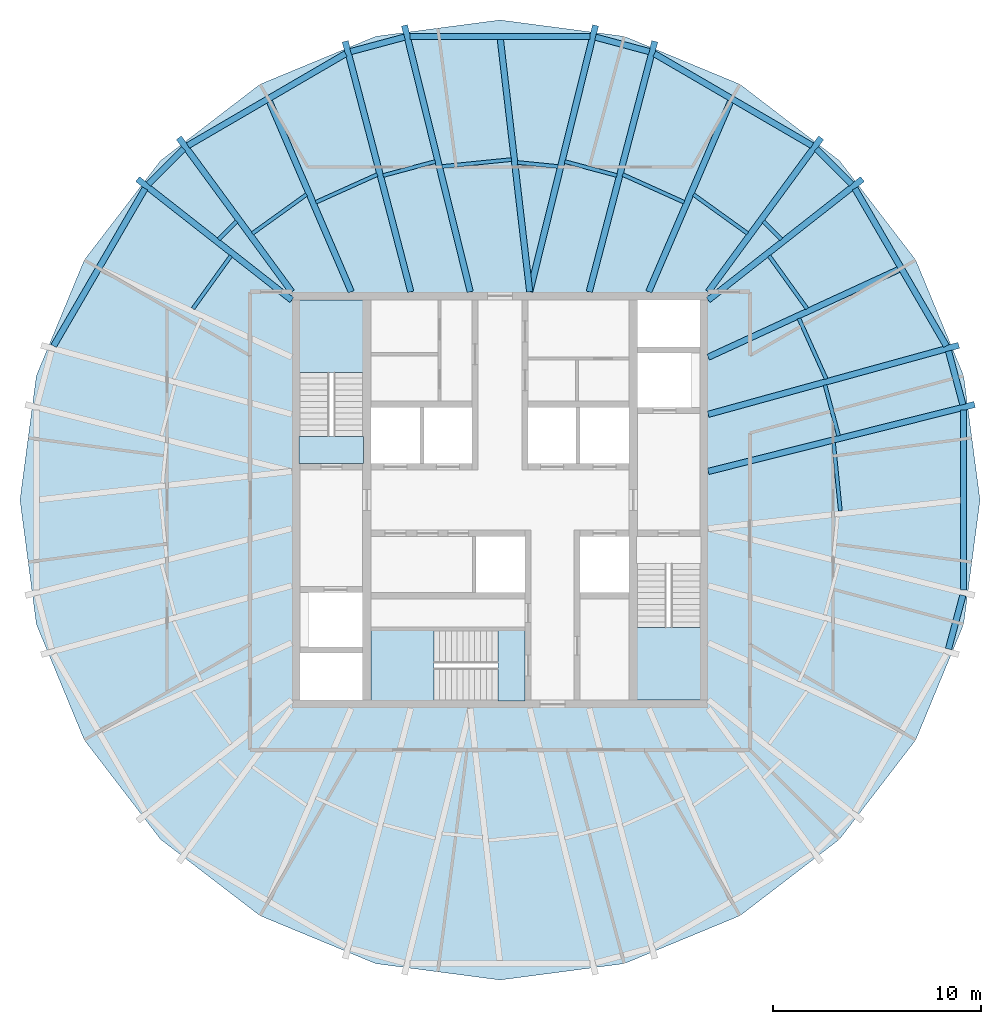
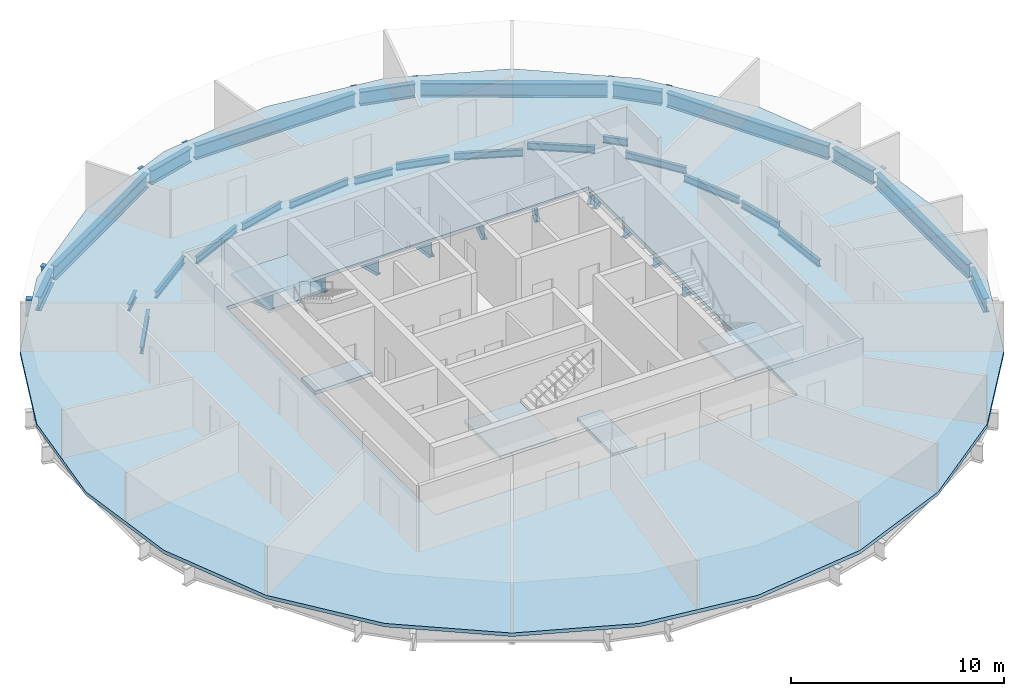
# One storey, part 2 of 6: 41 beams, 6 slabs, 3 elements without a shape of their own.
"""IFC4 building model written with IfcOpenShell, lengths in metres."""

from ifc_helpers import new_model, si_unit, direction, frame, origin, origin_2d, place, context, subcontext, project, spatial, polyline, i_section, outline, extrude, material, layer, layer_set, material_profile, profile_set, type_object, element, aggregate, save


model = new_model("IFC4")

# Units and contexts
model_context = context("Model", 3, precision=1e-05, world=origin(), true_north=direction((0.0, 1.0)))
body_context = subcontext(model_context, "Body", "Model", "MODEL_VIEW")
ifc_project = project(units=[si_unit("LENGTHUNIT", "METRE"), si_unit("AREAUNIT", "SQUARE_METRE"), si_unit("VOLUMEUNIT", "CUBIC_METRE"), si_unit("PLANEANGLEUNIT", "RADIAN"), si_unit("MASSUNIT", "GRAM", prefix="KILO")], contexts=[model_context])

# Site, building, storey
site_placement = place(None, origin())
site = spatial("IfcSite", under=ifc_project, at=site_placement, CompositionType="ELEMENT")
building_placement = place(site_placement, origin())
building = spatial("IfcBuilding", under=site, at=building_placement, Name="Golbaran Civic Tower", CompositionType="ELEMENT")
storey_placement = place(building_placement, frame((0.0, 0.0, 228.0)))
storey = spatial("IfcBuildingStorey", under=building, at=storey_placement, Name="L55", CompositionType="ELEMENT", Elevation=228.0)

# Beams
ifc_material_1 = material(Name="Steel S355", Category="steel")
ifc_material_profile_1 = material_profile(ifc_material_1, i_section(OverallWidth=0.300048828125, OverallDepth=0.800048828125, WebThickness=0.017578125, FlangeThickness=0.032958984375, FilletRadius=0.030029296875, at=origin_2d()), Name="HEB 800")
ifc_profile_set_1 = profile_set([ifc_material_profile_1], Name="Steel S355")
beam_type_1 = type_object("IfcBeamType", Name="EDGE BEAM HEB 800", PredefinedType="BEAM", material=ifc_profile_set_1)
beam_1_placement = place(storey_placement, frame((22.231201171875, 4.579833984375, -0.60009765625), z_axis=(-0.259005792565, 0.965875768108, 0.0), x_axis=(-0.965875768108, -0.259005792565, 0.0)))
element("IfcBeam", 1, at=beam_1_placement, inside=storey, type_object=beam_type_1, Name="Edge beam 11.44 L55", PredefinedType="BEAM", context=body_context, shape_type="SweptSolid", body=[
    extrude(i_section(OverallWidth=0.300048828125, OverallDepth=0.800048828125, WebThickness=0.017578125, FlangeThickness=0.032958984375, FilletRadius=0.030029296875, at=origin_2d()), origin(), (0.0, 0.0, 1.0), 2.66943359375),
])
beam_2_placement = place(storey_placement, frame((21.4384765625, 7.400146484375, -0.60009765625), z_axis=(-0.502355039834, 0.864661444702, 0.0), x_axis=(-0.864661444702, -0.502355039834, 0.0)))
element("IfcBeam", 2, at=beam_2_placement, inside=storey, type_object=beam_type_1, Name="Edge beam 18.56 L55", PredefinedType="BEAM", context=body_context, shape_type="SweptSolid", body=[
    extrude(i_section(OverallWidth=0.300048828125, OverallDepth=0.800048828125, WebThickness=0.017578125, FlangeThickness=0.032958984375, FilletRadius=0.030029296875, at=origin_2d()), origin(), (0.0, 0.0, 1.0), 8.745849609375),
])
beam_3_placement = place(storey_placement, frame((16.886474609375, 15.16845703125, -0.60009765625), z_axis=(-0.706545565348, 0.707667551953, 0.0), x_axis=(-0.707667551953, -0.706545565348, 0.0)))
element("IfcBeam", 3, at=beam_3_placement, inside=storey, type_object=beam_type_1, Name="Edge beam 41.44 L55", PredefinedType="BEAM", context=body_context, shape_type="SweptSolid", body=[
    extrude(i_section(OverallWidth=0.300048828125, OverallDepth=0.800048828125, WebThickness=0.017578125, FlangeThickness=0.032958984375, FilletRadius=0.030029296875, at=origin_2d()), origin(), (0.0, 0.0, 1.0), 2.3935546875),
])
beam_4_placement = place(storey_placement, frame((14.989501953125, 17.02099609375, -0.60009765625), z_axis=(-0.864103943644, 0.503313395985, 0.0), x_axis=(-0.503313395985, -0.864103943644, 0.0)))
element("IfcBeam", 4, at=beam_4_placement, inside=storey, type_object=beam_type_1, Name="Edge beam 48.56 L55", PredefinedType="BEAM", context=body_context, shape_type="SweptSolid", body=[
    extrude(i_section(OverallWidth=0.300048828125, OverallDepth=0.800048828125, WebThickness=0.017578125, FlangeThickness=0.032958984375, FilletRadius=0.030029296875, at=origin_2d()), origin(), (0.0, 0.0, 1.0), 8.76708984375),
])
beam_5_placement = place(storey_placement, frame((7.171630859375, 21.535400390625, -0.60009765625), z_axis=(-0.96578273304, 0.259352487095, 0.0), x_axis=(-0.259352487095, -0.96578273304, 0.0)))
element("IfcBeam", 5, at=beam_5_placement, inside=storey, type_object=beam_type_1, Name="Edge beam 71.44 L55", PredefinedType="BEAM", context=body_context, shape_type="SweptSolid", body=[
    extrude(i_section(OverallWidth=0.300048828125, OverallDepth=0.800048828125, WebThickness=0.017578125, FlangeThickness=0.032958984375, FilletRadius=0.030029296875, at=origin_2d()), origin(), (0.0, 0.0, 1.0), 2.678955078125),
])
beam_6_placement = place(storey_placement, frame((4.32470703125, 22.263916015625, -0.60009765625), z_axis=(-1.0, 0.0, 0.0), x_axis=(0.0, -1.0, 0.0)))
element("IfcBeam", 6, at=beam_6_placement, inside=storey, type_object=beam_type_1, Name="Edge beam 78.56 L55", PredefinedType="BEAM", context=body_context, shape_type="SweptSolid", body=[
    extrude(i_section(OverallWidth=0.300048828125, OverallDepth=0.800048828125, WebThickness=0.017578125, FlangeThickness=0.032958984375, FilletRadius=0.030029296875, at=origin_2d()), origin(), (0.0, 0.0, 1.0), 8.6494140625),
])
beam_7_placement = place(storey_placement, frame((-4.584228515625, 22.230224609375, -0.60009765625), z_axis=(-0.96578273304, -0.259352487095, 0.0), x_axis=(0.259352487095, -0.96578273304, 0.0)))
element("IfcBeam", 7, at=beam_7_placement, inside=storey, type_object=beam_type_1, Name="Edge beam 101.44 L55", PredefinedType="BEAM", context=body_context, shape_type="SweptSolid", body=[
    extrude(i_section(OverallWidth=0.300048828125, OverallDepth=0.800048828125, WebThickness=0.017578125, FlangeThickness=0.032958984375, FilletRadius=0.030029296875, at=origin_2d()), origin(), (0.0, 0.0, 1.0), 2.678955078125),
])
beam_8_placement = place(storey_placement, frame((-7.413818359375, 21.43359375, -0.60009765625), z_axis=(-0.864103943644, -0.503313395985, 0.0), x_axis=(0.503313395985, -0.864103943644, 0.0)))
element("IfcBeam", 8, at=beam_8_placement, inside=storey, type_object=beam_type_1, Name="Edge beam 108.56 L55", PredefinedType="BEAM", context=body_context, shape_type="SweptSolid", body=[
    extrude(i_section(OverallWidth=0.300048828125, OverallDepth=0.800048828125, WebThickness=0.017578125, FlangeThickness=0.032958984375, FilletRadius=0.030029296875, at=origin_2d()), origin(), (0.0, 0.0, 1.0), 8.76708984375),
])
beam_9_placement = place(storey_placement, frame((-15.1953125, 16.8623046875, -0.60009765625), z_axis=(-0.706545565348, -0.707667551953, 0.0), x_axis=(0.707667551953, -0.706545565348, 0.0)))
element("IfcBeam", 9, at=beam_9_placement, inside=storey, type_object=beam_type_1, Name="Edge beam 131.44 L55", PredefinedType="BEAM", context=body_context, shape_type="SweptSolid", body=[
    extrude(i_section(OverallWidth=0.300048828125, OverallDepth=0.800048828125, WebThickness=0.017578125, FlangeThickness=0.032958984375, FilletRadius=0.030029296875, at=origin_2d()), origin(), (0.0, 0.0, 1.0), 2.3935546875),
])
beam_10_placement = place(storey_placement, frame((-17.044921875, 14.96240234375, -0.60009765625), z_axis=(-0.502355039834, -0.864661444702, 0.0), x_axis=(0.864661444702, -0.502355039834, 0.0)))
element("IfcBeam", 10, at=beam_10_placement, inside=storey, type_object=beam_type_1, Name="Edge beam 138.56 L55", PredefinedType="BEAM", context=body_context, shape_type="SweptSolid", body=[
    extrude(i_section(OverallWidth=0.300048828125, OverallDepth=0.800048828125, WebThickness=0.017578125, FlangeThickness=0.032958984375, FilletRadius=0.030029296875, at=origin_2d()), origin(), (0.0, 0.0, 1.0), 8.745849609375),
])
beam_11_placement = place(storey_placement, frame((21.539794921875, -7.158203125, -0.60009765625), z_axis=(0.259005792565, 0.965875768108, 0.0), x_axis=(-0.965875768108, 0.259005792565, 0.0)))
element("IfcBeam", 11, at=beam_11_placement, inside=storey, type_object=beam_type_1, Name="Edge beam 341.44 L55", PredefinedType="BEAM", context=body_context, shape_type="SweptSolid", body=[
    extrude(i_section(OverallWidth=0.300048828125, OverallDepth=0.800048828125, WebThickness=0.017578125, FlangeThickness=0.032958984375, FilletRadius=0.030029296875, at=origin_2d()), origin(), (0.0, 0.0, 1.0), 2.66943359375),
])
beam_12_placement = place(storey_placement, frame((22.264892578125, -4.3203125, -0.60009765625), z_axis=(0.0, 1.0, 0.0), x_axis=(-1.0, 0.0, 0.0)))
element("IfcBeam", 12, at=beam_12_placement, inside=storey, type_object=beam_type_1, Name="Edge beam 348.56 L55", PredefinedType="BEAM", context=body_context, shape_type="SweptSolid", body=[
    extrude(i_section(OverallWidth=0.300048828125, OverallDepth=0.800048828125, WebThickness=0.017578125, FlangeThickness=0.032958984375, FilletRadius=0.030029296875, at=origin_2d()), origin(), (0.0, 0.0, 1.0), 8.640625),
])
ifc_material_profile_2 = material_profile(ifc_material_1, i_section(OverallWidth=0.179931640625, OverallDepth=0.39990234375, WebThickness=0.008544921875, FlangeThickness=0.013427734375, FilletRadius=0.02099609375, at=origin_2d()), Name="IPE 400")
ifc_profile_set_2 = profile_set([ifc_material_profile_2], Name="Steel S355")
beam_type_2 = type_object("IfcBeamType", Name="FLOOR INFILL BEAM IPE 400", PredefinedType="BEAM", material=ifc_profile_set_2)
beam_13_placement = place(storey_placement, frame((16.34765625, -0.53076171875, -0.39990234375), z_axis=(-0.099730965828, 0.99501443932, 0.0), x_axis=(-0.99501443932, -0.099730965828, 0.0)))
element("IfcBeam", 13, at=beam_13_placement, inside=storey, type_object=beam_type_2, Name="Infill beam 5.72 L55", PredefinedType="BEAM", context=body_context, shape_type="SweptSolid", body=[
    extrude(i_section(OverallWidth=0.179931640625, OverallDepth=0.39990234375, WebThickness=0.008544921875, FlangeThickness=0.013427734375, FilletRadius=0.02099609375, at=origin_2d()), origin(), (0.0, 0.0, 1.0), 3.29736328125),
])
beam_14_placement = place(storey_placement, frame((16.262939453125, 3.07958984375, -0.39990234375), z_axis=(-0.258821271483, 0.965925229729, 0.0), x_axis=(-0.965925229729, -0.258821271483, 0.0)))
element("IfcBeam", 14, at=beam_14_placement, inside=storey, type_object=beam_type_2, Name="Infill beam 15.00 L55", PredefinedType="BEAM", context=body_context, shape_type="SweptSolid", body=[
    extrude(i_section(OverallWidth=0.179931640625, OverallDepth=0.39990234375, WebThickness=0.008544921875, FlangeThickness=0.013427734375, FilletRadius=0.02099609375, at=origin_2d()), origin(), (0.0, 0.0, 1.0), 2.53076171875),
])
beam_15_placement = place(storey_placement, frame((15.667724609375, 5.810546875, -0.39990234375), z_axis=(-0.411178800035, 0.911554712785, 0.0), x_axis=(-0.911554712785, -0.411178800035, 0.0)))
element("IfcBeam", 15, at=beam_15_placement, inside=storey, type_object=beam_type_2, Name="Infill beam 24.28 L55", PredefinedType="BEAM", context=body_context, shape_type="SweptSolid", body=[
    extrude(i_section(OverallWidth=0.179931640625, OverallDepth=0.39990234375, WebThickness=0.008544921875, FlangeThickness=0.013427734375, FilletRadius=0.02099609375, at=origin_2d()), origin(), (0.0, 0.0, 1.0), 3.19140625),
])
beam_16_placement = place(storey_placement, frame((14.74951171875, 9.187255859375, -0.39990234375), z_axis=(-0.583825732526, 0.811879002094, 0.0), x_axis=(-0.811879002094, -0.583825732526, 0.0)))
element("IfcBeam", 16, at=beam_16_placement, inside=storey, type_object=beam_type_2, Name="Infill beam 35.72 L55", PredefinedType="BEAM", context=body_context, shape_type="SweptSolid", body=[
    extrude(i_section(OverallWidth=0.179931640625, OverallDepth=0.39990234375, WebThickness=0.008544921875, FlangeThickness=0.013427734375, FilletRadius=0.02099609375, at=origin_2d()), origin(), (0.0, 0.0, 1.0), 3.129150390625),
])
beam_17_placement = place(storey_placement, frame((13.50927734375, 12.518798828125, -0.39990234375), z_axis=(-0.707106781187, 0.707106781187, 0.0), x_axis=(-0.707106781187, -0.707106781187, 0.0)))
element("IfcBeam", 17, at=beam_17_placement, inside=storey, type_object=beam_type_2, Name="Infill beam 45.00 L55", PredefinedType="BEAM", context=body_context, shape_type="SweptSolid", body=[
    extrude(i_section(OverallWidth=0.179931640625, OverallDepth=0.39990234375, WebThickness=0.008544921875, FlangeThickness=0.013427734375, FilletRadius=0.02099609375, at=origin_2d()), origin(), (0.0, 0.0, 1.0), 1.223876953125),
])
beam_18_placement = place(storey_placement, frame((11.893310546875, 12.80078125, -0.39990234375), z_axis=(-0.811896883741, 0.583800865169, 0.0), x_axis=(-0.583800865169, -0.811896883741, 0.0)))
element("IfcBeam", 18, at=beam_18_placement, inside=storey, type_object=beam_type_2, Name="Infill beam 54.28 L55", PredefinedType="BEAM", context=body_context, shape_type="SweptSolid", body=[
    extrude(i_section(OverallWidth=0.179931640625, OverallDepth=0.39990234375, WebThickness=0.008544921875, FlangeThickness=0.013427734375, FilletRadius=0.02099609375, at=origin_2d()), origin(), (0.0, 0.0, 1.0), 3.20458984375),
])
beam_19_placement = place(storey_placement, frame((8.847900390625, 14.2978515625, -0.39990234375), z_axis=(-0.911557409857, 0.411172820763, 0.0), x_axis=(-0.411172820763, -0.911557409857, 0.0)))
element("IfcBeam", 19, at=beam_19_placement, inside=storey, type_object=beam_type_2, Name="Infill beam 65.72 L55", PredefinedType="BEAM", context=body_context, shape_type="SweptSolid", body=[
    extrude(i_section(OverallWidth=0.179931640625, OverallDepth=0.39990234375, WebThickness=0.008544921875, FlangeThickness=0.013427734375, FilletRadius=0.02099609375, at=origin_2d()), origin(), (0.0, 0.0, 1.0), 3.240234375),
])
beam_20_placement = place(storey_placement, frame((5.61328125, 15.583740234375, -0.39990234375), z_axis=(-0.965918639714, 0.258845864277, 0.0), x_axis=(-0.258845864277, -0.965918639714, 0.0)))
element("IfcBeam", 20, at=beam_20_placement, inside=storey, type_object=beam_type_2, Name="Infill beam 75.00 L55", PredefinedType="BEAM", context=body_context, shape_type="SweptSolid", body=[
    extrude(i_section(OverallWidth=0.179931640625, OverallDepth=0.39990234375, WebThickness=0.008544921875, FlangeThickness=0.013427734375, FilletRadius=0.02099609375, at=origin_2d()), origin(), (0.0, 0.0, 1.0), 2.59375),
])
beam_21_placement = place(storey_placement, frame((2.78076171875, 16.015380859375, -0.39990234375), z_axis=(-0.995018619863, 0.09968924779, 0.0), x_axis=(-0.09968924779, -0.995018619863, 0.0)))
element("IfcBeam", 21, at=beam_21_placement, inside=storey, type_object=beam_type_2, Name="Infill beam 84.28 L55", PredefinedType="BEAM", context=body_context, shape_type="SweptSolid", body=[
    extrude(i_section(OverallWidth=0.179931640625, OverallDepth=0.39990234375, WebThickness=0.008544921875, FlangeThickness=0.013427734375, FilletRadius=0.02099609375, at=origin_2d()), origin(), (0.0, 0.0, 1.0), 1.954345703125),
])
beam_22_placement = place(storey_placement, frame((0.55810546875, 16.349853515625, -0.39990234375), z_axis=(-0.995019886483, -0.099676604598, 0.0), x_axis=(0.099676604598, -0.995019886483, 0.0)))
element("IfcBeam", 22, at=beam_22_placement, inside=storey, type_object=beam_type_2, Name="Infill beam 95.72 L55", PredefinedType="BEAM", context=body_context, shape_type="SweptSolid", body=[
    extrude(i_section(OverallWidth=0.179931640625, OverallDepth=0.39990234375, WebThickness=0.008544921875, FlangeThickness=0.013427734375, FilletRadius=0.02099609375, at=origin_2d()), origin(), (0.0, 0.0, 1.0), 3.35546875),
])
beam_23_placement = place(storey_placement, frame((-3.10791015625, 16.255126953125, -0.39990234375), z_axis=(-0.965918639714, -0.258845864277, 0.0), x_axis=(0.258845864277, -0.965918639714, 0.0)))
element("IfcBeam", 23, at=beam_23_placement, inside=storey, type_object=beam_type_2, Name="Infill beam 105.00 L55", PredefinedType="BEAM", context=body_context, shape_type="SweptSolid", body=[
    extrude(i_section(OverallWidth=0.179931640625, OverallDepth=0.39990234375, WebThickness=0.008544921875, FlangeThickness=0.013427734375, FilletRadius=0.02099609375, at=origin_2d()), origin(), (0.0, 0.0, 1.0), 2.59375),
])
beam_24_placement = place(storey_placement, frame((-5.894287109375, 15.630126953125, -0.39990234375), z_axis=(-0.911557409857, -0.411172820763, 0.0), x_axis=(0.411172820763, -0.911557409857, 0.0)))
element("IfcBeam", 24, at=beam_24_placement, inside=storey, type_object=beam_type_2, Name="Infill beam 114.28 L55", PredefinedType="BEAM", context=body_context, shape_type="SweptSolid", body=[
    extrude(i_section(OverallWidth=0.179931640625, OverallDepth=0.39990234375, WebThickness=0.008544921875, FlangeThickness=0.013427734375, FilletRadius=0.02099609375, at=origin_2d()), origin(), (0.0, 0.0, 1.0), 3.240234375),
])
beam_25_placement = place(storey_placement, frame((-9.29150390625, 14.671630859375, -0.39990234375), z_axis=(-0.811896883741, -0.583800865169, 0.0), x_axis=(0.583800865169, -0.811896883741, 0.0)))
element("IfcBeam", 25, at=beam_25_placement, inside=storey, type_object=beam_type_2, Name="Infill beam 125.72 L55", PredefinedType="BEAM", context=body_context, shape_type="SweptSolid", body=[
    extrude(i_section(OverallWidth=0.179931640625, OverallDepth=0.39990234375, WebThickness=0.008544921875, FlangeThickness=0.013427734375, FilletRadius=0.02099609375, at=origin_2d()), origin(), (0.0, 0.0, 1.0), 3.20458984375),
])
beam_26_placement = place(storey_placement, frame((-12.643798828125, 13.38427734375, -0.39990234375), z_axis=(-0.707106781187, -0.707106781187, 0.0), x_axis=(0.707106781187, -0.707106781187, 0.0)))
element("IfcBeam", 26, at=beam_26_placement, inside=storey, type_object=beam_type_2, Name="Infill beam 135.00 L55", PredefinedType="BEAM", context=body_context, shape_type="SweptSolid", body=[
    extrude(i_section(OverallWidth=0.179931640625, OverallDepth=0.39990234375, WebThickness=0.008544921875, FlangeThickness=0.013427734375, FilletRadius=0.02099609375, at=origin_2d()), origin(), (0.0, 0.0, 1.0), 1.223876953125),
])
beam_27_placement = place(storey_placement, frame((-12.922607421875, 11.727783203125, -0.39990234375), z_axis=(-0.583825732526, -0.811879002094, 0.0), x_axis=(0.811879002094, -0.583825732526, 0.0)))
element("IfcBeam", 27, at=beam_27_placement, inside=storey, type_object=beam_type_2, Name="Infill beam 144.28 L55", PredefinedType="BEAM", context=body_context, shape_type="SweptSolid", body=[
    extrude(i_section(OverallWidth=0.179931640625, OverallDepth=0.39990234375, WebThickness=0.008544921875, FlangeThickness=0.013427734375, FilletRadius=0.02099609375, at=origin_2d()), origin(), (0.0, 0.0, 1.0), 3.129150390625),
])
ifc_material_profile_3 = material_profile(ifc_material_1, i_section(OverallWidth=0.300048828125, OverallDepth=1.0, WebThickness=0.01904296875, FlangeThickness=0.035888671875, FilletRadius=0.030029296875, at=origin_2d()), Name="HEB 1000")
ifc_profile_set_3 = profile_set([ifc_material_profile_3], Name="Steel S355")
beam_type_3 = type_object("IfcBeamType", Name="RADIAL FLOOR BEAM HEB 1000", PredefinedType="BEAM", material=ifc_profile_set_3)
beam_28_placement = place(storey_placement, frame((10.0, 1.371337890625, -0.7099609375), z_axis=(0.969831438988, 0.243776495894, 0.0), x_axis=(-0.243776495894, 0.969831438988, 0.0)))
element("IfcBeam", 28, at=beam_28_placement, inside=storey, type_object=beam_type_3, Name="Radial beam 11.44 L55", PredefinedType="BEAM", context=body_context, shape_type="SweptSolid", body=[
    extrude(i_section(OverallWidth=0.300048828125, OverallDepth=1.0, WebThickness=0.01904296875, FlangeThickness=0.035888671875, FilletRadius=0.030029296875, at=origin_2d()), origin(), (0.0, 0.0, 1.0), 13.191650390625),
])
beam_29_placement = place(storey_placement, frame((10.0, 4.1142578125, -0.7099609375), z_axis=(0.964089393135, 0.265577939679, 0.0), x_axis=(-0.265577939679, 0.964089393135, 0.0)))
element("IfcBeam", 29, at=beam_29_placement, inside=storey, type_object=beam_type_3, Name="Radial beam 18.56 L55", PredefinedType="BEAM", context=body_context, shape_type="SweptSolid", body=[
    extrude(i_section(OverallWidth=0.300048828125, OverallDepth=1.0, WebThickness=0.01904296875, FlangeThickness=0.035888671875, FilletRadius=0.030029296875, at=origin_2d()), origin(), (0.0, 0.0, 1.0), 12.480224609375),
])
beam_30_placement = place(storey_placement, frame((10.0, 9.60009765625, -0.7099609375), z_axis=(0.786740095164, 0.617284393665, 0.0), x_axis=(-0.617284393665, 0.786740095164, 0.0)))
element("IfcBeam", 30, at=beam_30_placement, inside=storey, type_object=beam_type_3, Name="Radial beam 41.44 L55", PredefinedType="BEAM", context=body_context, shape_type="SweptSolid", body=[
    extrude(i_section(OverallWidth=0.300048828125, OverallDepth=1.0, WebThickness=0.01904296875, FlangeThickness=0.035888671875, FilletRadius=0.030029296875, at=origin_2d()), origin(), (0.0, 0.0, 1.0), 9.416748046875),
])
beam_31_placement = place(storey_placement, frame((10.0, 10.0, -0.7099609375), z_axis=(0.591505566038, 0.806300914886, 0.0), x_axis=(-0.806300914886, 0.591505566038, 0.0)))
element("IfcBeam", 31, at=beam_31_placement, inside=storey, type_object=beam_type_3, Name="Radial beam 48.56 L55", PredefinedType="BEAM", context=body_context, shape_type="SweptSolid", body=[
    extrude(i_section(OverallWidth=0.300048828125, OverallDepth=1.0, WebThickness=0.01904296875, FlangeThickness=0.035888671875, FilletRadius=0.030029296875, at=origin_2d()), origin(), (0.0, 0.0, 1.0), 9.173583984375),
])
beam_32_placement = place(storey_placement, frame((4.28564453125, 10.0, -0.7099609375), z_axis=(0.253288961327, 0.967390666727, 0.0), x_axis=(-0.967390666727, 0.253288961327, 0.0)))
element("IfcBeam", 32, at=beam_32_placement, inside=storey, type_object=beam_type_3, Name="Radial beam 71.44 L55", PredefinedType="BEAM", context=body_context, shape_type="SweptSolid", body=[
    extrude(i_section(OverallWidth=0.300048828125, OverallDepth=1.0, WebThickness=0.01904296875, FlangeThickness=0.035888671875, FilletRadius=0.030029296875, at=origin_2d()), origin(), (0.0, 0.0, 1.0), 12.43505859375),
])
for number, where, z_axis, x_axis, name in (
    (33, (1.428466796875, 10.0, -0.7099609375), (0.239862530547, 0.970806863614, 0.0), (-0.970806863614, 0.239862530547, 0.0), "Radial beam 78.56 L55"),
    (34, (-1.428466796875, 10.0, -0.7099609375), (-0.239862530547, 0.970806863614, 0.0), (-0.970806863614, -0.239862530547, 0.0), "Radial beam 101.44 L55"),
):
    element("IfcBeam", number, at=place(storey_placement, frame(where, z_axis=z_axis, x_axis=x_axis)), inside=storey, type_object=beam_type_3, Name=name, PredefinedType="BEAM", context=body_context, shape_type="SweptSolid", body=[
        extrude(i_section(OverallWidth=0.300048828125, OverallDepth=1.0, WebThickness=0.01904296875, FlangeThickness=0.035888671875, FilletRadius=0.030029296875, at=origin_2d()), origin(), (0.0, 0.0, 1.0), 13.177978515625),
    ])
beam_33_placement = place(storey_placement, frame((-4.28564453125, 10.0, -0.7099609375), z_axis=(-0.253288961327, 0.967390666727, 0.0), x_axis=(-0.967390666727, -0.253288961327, 0.0)))
element("IfcBeam", 35, at=beam_33_placement, inside=storey, type_object=beam_type_3, Name="Radial beam 108.56 L55", PredefinedType="BEAM", context=body_context, shape_type="SweptSolid", body=[
    extrude(i_section(OverallWidth=0.300048828125, OverallDepth=1.0, WebThickness=0.01904296875, FlangeThickness=0.035888671875, FilletRadius=0.030029296875, at=origin_2d()), origin(), (0.0, 0.0, 1.0), 12.43505859375),
])
beam_34_placement = place(storey_placement, frame((-10.0, 10.0, -0.7099609375), z_axis=(-0.591505566038, 0.806300914886, 0.0), x_axis=(-0.806300914886, -0.591505566038, 0.0)))
element("IfcBeam", 36, at=beam_34_placement, inside=storey, type_object=beam_type_3, Name="Radial beam 131.44 L55", PredefinedType="BEAM", context=body_context, shape_type="SweptSolid", body=[
    extrude(i_section(OverallWidth=0.300048828125, OverallDepth=1.0, WebThickness=0.01904296875, FlangeThickness=0.035888671875, FilletRadius=0.030029296875, at=origin_2d()), origin(), (0.0, 0.0, 1.0), 9.173583984375),
])
beam_35_placement = place(storey_placement, frame((-10.0, 9.60009765625, -0.7099609375), z_axis=(-0.786740095164, 0.617284393665, 0.0), x_axis=(-0.617284393665, -0.786740095164, 0.0)))
element("IfcBeam", 37, at=beam_35_placement, inside=storey, type_object=beam_type_3, Name="Radial beam 138.56 L55", PredefinedType="BEAM", context=body_context, shape_type="SweptSolid", body=[
    extrude(i_section(OverallWidth=0.300048828125, OverallDepth=1.0, WebThickness=0.01904296875, FlangeThickness=0.035888671875, FilletRadius=0.030029296875, at=origin_2d()), origin(), (0.0, 0.0, 1.0), 9.416748046875),
])
ifc_material_profile_4 = material_profile(ifc_material_1, i_section(OverallWidth=0.300048828125, OverallDepth=1.0, WebThickness=0.01904296875, FlangeThickness=0.035888671875, FilletRadius=0.030029296875, at=origin_2d()), Name="HEB 1000")
ifc_profile_set_4 = profile_set([ifc_material_profile_4], Name="Steel S355")
beam_type_4 = type_object("IfcBeamType", Name="SECONDARY FLOOR BEAM HEB 1000", PredefinedType="BEAM", material=ifc_profile_set_4)
beam_36_placement = place(storey_placement, frame((10.0, 6.857177734375, -0.7099609375), z_axis=(0.90832440785, 0.418266386533, 0.0), x_axis=(-0.418266386533, 0.90832440785, 0.0)))
element("IfcBeam", 38, at=beam_36_placement, inside=storey, type_object=beam_type_4, Name="Secondary beam 30.00 L55", PredefinedType="BEAM", context=body_context, shape_type="SweptSolid", body=[
    extrude(i_section(OverallWidth=0.300048828125, OverallDepth=1.0, WebThickness=0.01904296875, FlangeThickness=0.035888671875, FilletRadius=0.030029296875, at=origin_2d()), origin(), (0.0, 0.0, 1.0), 10.208740234375),
])
beam_37_placement = place(storey_placement, frame((7.142822265625, 10.0, -0.7099609375), z_axis=(0.39475718167, 0.91878548504, 0.0), x_axis=(-0.91878548504, 0.39475718167, 0.0)))
element("IfcBeam", 39, at=beam_37_placement, inside=storey, type_object=beam_type_4, Name="Secondary beam 60.00 L55", PredefinedType="BEAM", context=body_context, shape_type="SweptSolid", body=[
    extrude(i_section(OverallWidth=0.300048828125, OverallDepth=1.0, WebThickness=0.01904296875, FlangeThickness=0.035888671875, FilletRadius=0.030029296875, at=origin_2d()), origin(), (0.0, 0.0, 1.0), 10.0908203125),
])
beam_38_placement = place(storey_placement, frame((1.428466796875, 10.0, -0.7099609375), z_axis=(-0.115695046165, 0.993284781064, 0.0), x_axis=(-0.993284781064, -0.115695046165, 0.0)))
element("IfcBeam", 40, at=beam_38_placement, inside=storey, type_object=beam_type_4, Name="Secondary beam 90.00 L55", PredefinedType="BEAM", context=body_context, shape_type="SweptSolid", body=[
    extrude(i_section(OverallWidth=0.300048828125, OverallDepth=1.0, WebThickness=0.01904296875, FlangeThickness=0.035888671875, FilletRadius=0.030029296875, at=origin_2d()), origin(), (0.0, 0.0, 1.0), 12.346923828125),
])
beam_39_placement = place(storey_placement, frame((-7.142822265625, 10.0, -0.7099609375), z_axis=(-0.39475718167, 0.91878548504, 0.0), x_axis=(-0.91878548504, -0.39475718167, 0.0)))
element("IfcBeam", 41, at=beam_39_placement, inside=storey, type_object=beam_type_4, Name="Secondary beam 120.00 L55", PredefinedType="BEAM", context=body_context, shape_type="SweptSolid", body=[
    extrude(i_section(OverallWidth=0.300048828125, OverallDepth=1.0, WebThickness=0.01904296875, FlangeThickness=0.035888671875, FilletRadius=0.030029296875, at=origin_2d()), origin(), (0.0, 0.0, 1.0), 10.0908203125),
])

# Slab
ifc_material_2 = material(Name="Concrete LC30/33 lightweight on steel deck", Category="concrete")
ifc_layer_1 = layer(ifc_material_2, 0.199951171875, Name="Concrete LC30/33 lightweight on steel deck")
ifc_layer_set_1 = layer_set([ifc_layer_1], Name="Concrete LC30/33 lightweight on steel deck")
slab_type_1 = type_object("IfcSlabType", Name="COMPOSITE FLOOR SLAB 200", PredefinedType="FLOOR", material=ifc_layer_set_1)
slab_1_placement = place(storey_placement, frame((0.0, 0.0, -0.199951171875)))
element("IfcSlab", 42, at=slab_1_placement, inside=storey, type_object=slab_type_1, Name="Floor slab L55", PredefinedType="FLOOR", context=body_context, shape_type="SweptSolid", body=[
    extrude(outline(polyline([(19.96484375, -11.526611328125), (16.30126953125, -16.30126953125), (11.526611328125, -19.96484375), (5.966552734375, -22.267822265625), (0.0, -23.05322265625), (-5.966552734375, -22.267822265625), (-11.526611328125, -19.96484375), (-16.30126953125, -16.30126953125), (-19.96484375, -11.526611328125), (-22.267822265625, -5.966552734375), (-23.05322265625, 0.0), (-22.267822265625, 5.966552734375), (-19.96484375, 11.526611328125), (-16.30126953125, 16.30126953125), (-11.526611328125, 19.96484375), (-5.966552734375, 22.267822265625), (0.0, 23.05322265625), (5.966552734375, 22.267822265625), (11.526611328125, 19.96484375), (16.30126953125, 16.30126953125), (19.96484375, 11.526611328125), (22.267822265625, 5.966552734375), (23.05322265625, 0.0), (22.267822265625, -5.966552734375), (19.96484375, -11.526611328125)]), holes=[polyline([(-9.800048828125, 9.800048828125), (-9.800048828125, -9.800048828125), (9.800048828125, -9.800048828125), (9.800048828125, 9.800048828125), (-9.800048828125, 9.800048828125)])]), origin(), (0.0, 0.0, 1.0), 0.199951171875),
])

# Stair, slab
ifc_material_3 = material(Name="Concrete C35/45", Category="concrete")
stair_type_1 = type_object("IfcStairType", Name="EXIT STAIR 3000 x 7850, 4000 RISE", PredefinedType="HALF_TURN_STAIR", material=ifc_material_3)
stair_1_placement = place(storey_placement, origin())
stair_1 = element("IfcStair", 43, at=stair_1_placement, inside=storey, type_object=stair_type_1, Name="Stair S1 L55", PredefinedType="HALF_TURN_STAIR")
ifc_layer_2 = layer(ifc_material_3, 0.199951171875, Name="Concrete C35/45")
ifc_layer_set_2 = layer_set([ifc_layer_2], Name="Concrete C35/45")
slab_type_2 = type_object("IfcSlabType", Name="STAIR LANDING 200", PredefinedType="LANDING", material=ifc_layer_set_2)
slab_2_placement = place(storey_placement, frame((0.0, 0.0, 1.800048828125)))
slab_2 = element("IfcSlab", 44, at=slab_2_placement, type_object=slab_type_2, Name="ST30078-40 landing 1", PredefinedType="LANDING", context=body_context, shape_type="SweptSolid", body=[
    extrude(outline(polyline([(-9.64990234375, 6.125), (-9.64990234375, 9.60009765625), (-6.550048828125, 9.60009765625), (-6.550048828125, 6.125), (-9.64990234375, 6.125)])), origin(), (0.0, 0.0, 1.0), 0.199951171875),
])
aggregate(stair_1, [slab_2])

# Slab
slab_3_placement = place(storey_placement, frame((0.0, 0.0, -0.199951171875)))
element("IfcSlab", 45, at=slab_3_placement, inside=storey, type_object=slab_type_2, Name="Stair S1 floor landing L55", PredefinedType="LANDING", context=body_context, shape_type="SweptSolid", body=[
    extrude(outline(polyline([(-9.64990234375, 1.75), (-9.64990234375, 3.054931640625), (-6.550048828125, 3.054931640625), (-6.550048828125, 1.75), (-9.64990234375, 1.75)])), origin(), (0.0, 0.0, 1.0), 0.199951171875),
])

# Stair, slab
stair_2_placement = place(storey_placement, origin())
stair_2 = element("IfcStair", 46, at=stair_2_placement, inside=storey, type_object=stair_type_1, Name="Stair S2 L55", PredefinedType="HALF_TURN_STAIR")
slab_4_placement = place(storey_placement, frame((0.0, 0.0, 1.800048828125)))
slab_4 = element("IfcSlab", 47, at=slab_4_placement, type_object=slab_type_2, Name="ST30078-40 landing 1", PredefinedType="LANDING", context=body_context, shape_type="SweptSolid", body=[
    extrude(outline(polyline([(9.64990234375, -6.125), (9.64990234375, -9.60009765625), (6.550048828125, -9.60009765625), (6.550048828125, -6.125), (9.64990234375, -6.125)])), origin(), (0.0, 0.0, 1.0), 0.199951171875),
])
aggregate(stair_2, [slab_4])

stair_type_2 = type_object("IfcStairType", Name="EXIT STAIR 3300 x 7400, 4000 RISE", PredefinedType="HALF_TURN_STAIR", material=ifc_material_3)
stair_3_placement = place(storey_placement, origin())
stair_3 = element("IfcStair", 48, at=stair_3_placement, inside=storey, type_object=stair_type_2, Name="Stair S3 L55", PredefinedType="HALF_TURN_STAIR")
slab_5_placement = place(storey_placement, frame((0.0, 0.0, 1.800048828125)))
slab_5 = element("IfcSlab", 49, at=slab_5_placement, type_object=slab_type_2, Name="ST33074-40 landing 1", PredefinedType="LANDING", context=body_context, shape_type="SweptSolid", body=[
    extrude(outline(polyline([(-3.175048828125, -9.64990234375), (-6.199951171875, -9.64990234375), (-6.199951171875, -6.25), (-3.175048828125, -6.25), (-3.175048828125, -9.64990234375)])), origin(), (0.0, 0.0, 1.0), 0.199951171875),
])
aggregate(stair_3, [slab_5])

# Slab
slab_6_placement = place(storey_placement, frame((0.0, 0.0, -0.199951171875)))
element("IfcSlab", 50, at=slab_6_placement, inside=storey, type_object=slab_type_2, Name="Stair S3 floor landing L55", PredefinedType="LANDING", context=body_context, shape_type="SweptSolid", body=[
    extrude(outline(polyline([(1.199951171875, -9.64990234375), (-0.10498046875, -9.64990234375), (-0.10498046875, -6.25), (1.199951171875, -6.25), (1.199951171875, -9.64990234375)])), origin(), (0.0, 0.0, 1.0), 0.199951171875),
])

save(model, "model.ifc")
